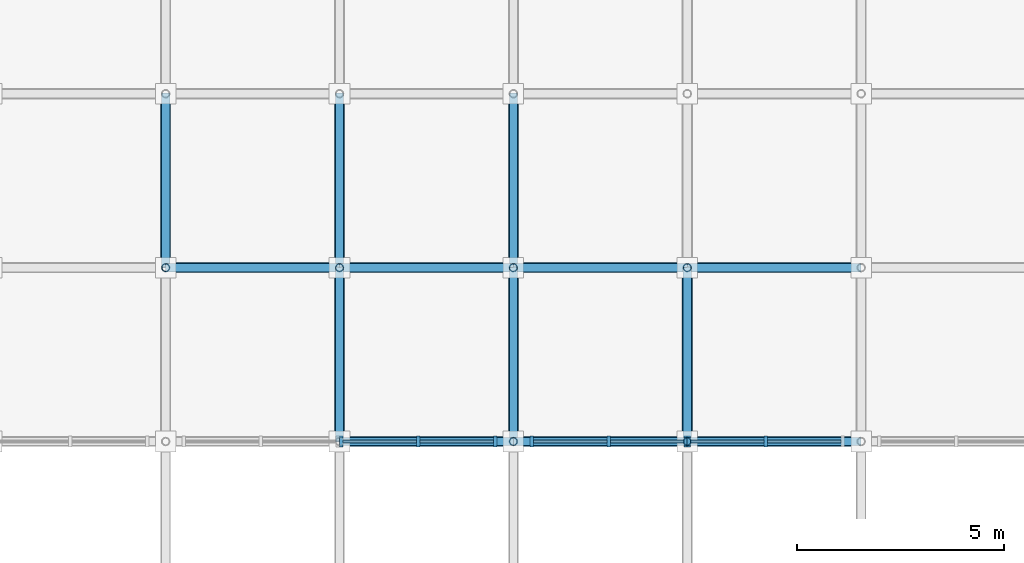
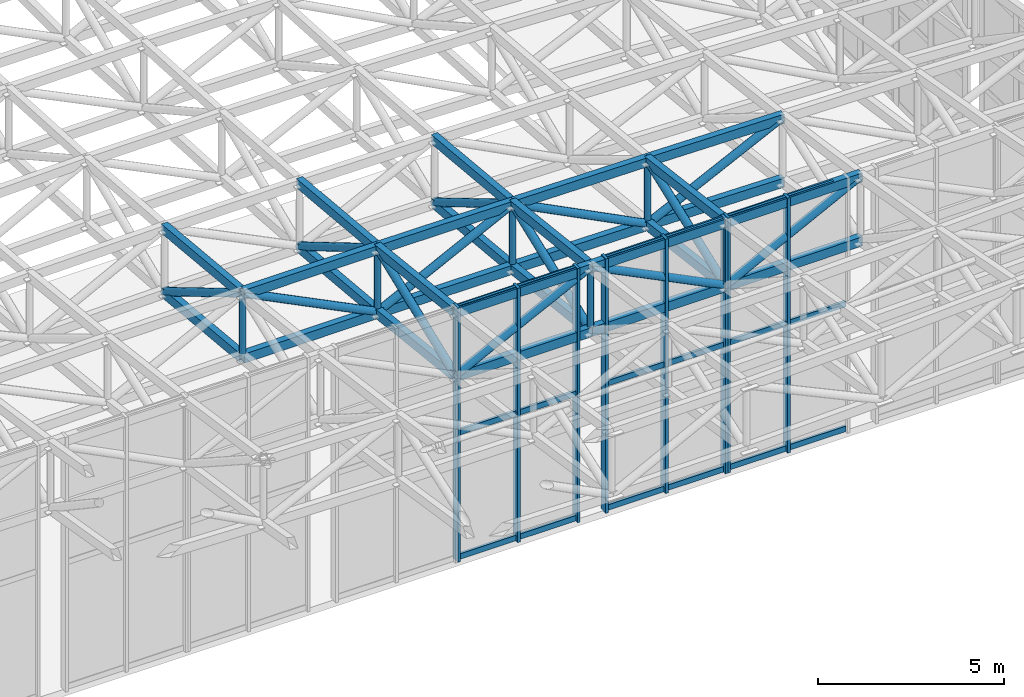
# One storey, part 33 of 123: 71 members, 3 elements without a shape of their own.
"""IFC4 building model written with IfcOpenShell, lengths in metres."""

from ifc_helpers import new_model, si_unit, direction, frame, origin, origin_2d, place, context, subcontext, project, spatial, rectangle, hollow_rectangle, hollow_circle, extrude, material, material_profile, profile_set, type_object, element, aggregate, save


model = new_model("IFC4")

# Units and contexts
model_context = context("Model", 3, precision=1e-05, world=origin(), true_north=direction((0.0, 1.0)))
body_context = subcontext(model_context, "Body", "Model", "MODEL_VIEW")
ifc_project = project(units=[si_unit("LENGTHUNIT", "METRE"), si_unit("AREAUNIT", "SQUARE_METRE"), si_unit("VOLUMEUNIT", "CUBIC_METRE"), si_unit("PLANEANGLEUNIT", "RADIAN"), si_unit("MASSUNIT", "GRAM", prefix="KILO")], contexts=[model_context])

# Site, building, storey
site_placement = place(None, origin())
site = spatial("IfcSite", under=ifc_project, at=site_placement, CompositionType="ELEMENT")
building_placement = place(site_placement, origin())
building = spatial("IfcBuilding", under=site, at=building_placement, Name="Cumbredor Promenade Congress Hotel", CompositionType="ELEMENT")
storey_placement = place(building_placement, frame((0.0, 0.0, 11.760009765625)))
storey = spatial("IfcBuildingStorey", under=building, at=storey_placement, Name="L03", CompositionType="ELEMENT", Elevation=11.760009765625)

# Members
ifc_material_1 = material(Name="Steel ASTM A500 Grade C", Category="steel")
ifc_material_profile_1 = material_profile(ifc_material_1, hollow_rectangle(XDim=0.199951171875, YDim=0.300048828125, WallThickness=0.012451171875, at=origin_2d()), Name="HSS 300x200x12.5")
ifc_profile_set_1 = profile_set([ifc_material_profile_1], Name="Steel ASTM A500 Grade C")
member_type_1 = type_object("IfcMemberType", Name="Ballroom Roof Space Frame Chord", PredefinedType="CHORD", material=ifc_profile_set_1)
for number, where, z_axis, x_axis, name in (
    (1, (163.800048828125, 8.39990234375, 8.167236328125), (0.999999254925, 0.0, 0.001220716407), (0.0, 1.0, 0.0), "Grand Ballroom Pavilion X Top Chord 7.3"),
    (2, (163.800048828125, 8.39990234375, 6.067138671875), (0.999999182277, 0.0, 0.001278845667), (0.0, 1.0, 0.0), "Grand Ballroom Pavilion X Bottom Chord 7.3"),
    (3, (168.0, 8.39990234375, 8.17236328125), (0.999992640561, 0.0, 0.003836511904), (0.0, 1.0, 0.0), "Grand Ballroom Pavilion X Top Chord 8.3"),
    (4, (168.0, 8.39990234375, 6.072509765625), (0.999992640561, 0.0, 0.003836511904), (0.0, 1.0, 0.0), "Grand Ballroom Pavilion X Bottom Chord 8.3"),
    (5, (172.199951171875, 8.39990234375, 8.1884765625), (0.999979184156, 0.0, 0.006452228649), (0.0, 1.0, 0.0), "Grand Ballroom Pavilion X Top Chord 9.3"),
    (6, (172.199951171875, 8.39990234375, 6.088623046875), (0.999979557515, 0.0, 0.00639410285), (0.0, 1.0, 0.0), "Grand Ballroom Pavilion X Bottom Chord 9.3"),
    (7, (159.60009765625, 12.60009765625, 7.69140625), (0.999996425009, 0.0, 0.002673942658), (0.0, 1.0, 0.0), "Grand Ballroom Pavilion X Top Chord 6.4"),
    (8, (159.60009765625, 12.60009765625, 5.59130859375), (0.999996267886, 0.0, 0.002732071417), (0.0, 1.0, 0.0), "Grand Ballroom Pavilion X Bottom Chord 6.4"),
    (9, (163.800048828125, 12.60009765625, 7.70263671875), (0.999996425009, 0.0, -0.002673942658), (0.0, 1.0, 0.0), "Grand Ballroom Pavilion X Top Chord 7.4"),
    (10, (163.800048828125, 12.60009765625, 5.602783203125), (0.999996267886, 0.0, -0.002732071417), (0.0, 1.0, 0.0), "Grand Ballroom Pavilion X Bottom Chord 7.4"),
):
    element("IfcMember", number, at=place(storey_placement, frame(where, z_axis=z_axis, x_axis=x_axis)), inside=storey, type_object=member_type_1, Name=name, PredefinedType="CHORD", context=body_context, shape_type="SweptSolid", body=[
        extrude(hollow_rectangle(XDim=0.199951171875, YDim=0.300048828125, WallThickness=0.012451171875, at=origin_2d()), origin(), (0.0, 0.0, 1.0), 4.199951171875),
    ])
for number, where, z_axis, x_axis, name in (
    (11, (168.0, 12.60009765625, 7.69140625), (0.999968291032, 0.0, -0.007963474735), (0.0, 1.0, 0.0), "Grand Ballroom Pavilion X Top Chord 8.4"),
    (12, (168.0, 12.60009765625, 5.59130859375), (0.999968752226, 0.0, -0.007905350829), (0.0, 1.0, 0.0), "Grand Ballroom Pavilion X Bottom Chord 8.4"),
):
    element("IfcMember", number, at=place(storey_placement, frame(where, z_axis=z_axis, x_axis=x_axis)), inside=storey, type_object=member_type_1, Name=name, PredefinedType="CHORD", context=body_context, shape_type="SweptSolid", body=[
        extrude(hollow_rectangle(XDim=0.199951171875, YDim=0.300048828125, WallThickness=0.012451171875, at=origin_2d()), origin(), (0.0, 0.0, 1.0), 4.2001953125),
    ])
for number, where, z_axis, x_axis, name in (
    (13, (172.199951171875, 12.60009765625, 7.657958984375), (0.999912183907, 0.0, -0.013252338425), (0.0, 1.0, 0.0), "Grand Ballroom Pavilion X Top Chord 9.4"),
    (14, (172.199951171875, 12.60009765625, 5.55810546875), (0.999911412004, 0.0, -0.013310452441), (0.0, 1.0, 0.0), "Grand Ballroom Pavilion X Bottom Chord 9.4"),
):
    element("IfcMember", number, at=place(storey_placement, frame(where, z_axis=z_axis, x_axis=x_axis)), inside=storey, type_object=member_type_1, Name=name, PredefinedType="CHORD", context=body_context, shape_type="SweptSolid", body=[
        extrude(hollow_rectangle(XDim=0.199951171875, YDim=0.300048828125, WallThickness=0.012451171875, at=origin_2d()), origin(), (0.0, 0.0, 1.0), 4.200439453125),
    ])
for number, where, z_axis, x_axis, name in (
    (15, (159.60009765625, 12.60009765625, 7.69140625), (0.0, 0.995475685358, -0.095016629388), (-1.0, 0.0, 0.0), "Grand Ballroom Pavilion Y Top Chord 6.4"),
    (16, (159.60009765625, 12.60009765625, 5.59130859375), (0.0, 0.995481157131, -0.094959284942), (-1.0, 0.0, 0.0), "Grand Ballroom Pavilion Y Bottom Chord 6.4"),
):
    element("IfcMember", number, at=place(storey_placement, frame(where, z_axis=z_axis, x_axis=x_axis)), inside=storey, type_object=member_type_1, Name=name, PredefinedType="CHORD", context=body_context, shape_type="SweptSolid", body=[
        extrude(hollow_rectangle(XDim=0.199951171875, YDim=0.300048828125, WallThickness=0.012451171875, at=origin_2d()), origin(), (0.0, 0.0, 1.0), 4.218994140625),
    ])
for number, where, z_axis, x_axis, name in (
    (17, (163.800048828125, 8.39990234375, 8.167236328125), (0.0, 0.993937865608, -0.109943254955), (-1.0, 0.0, 0.0), "Grand Ballroom Pavilion Y Top Chord 7.3"),
    (18, (163.800048828125, 8.39990234375, 6.067138671875), (0.0, 0.993944177327, -0.109886179102), (-1.0, 0.0, 0.0), "Grand Ballroom Pavilion Y Bottom Chord 7.3"),
):
    element("IfcMember", number, at=place(storey_placement, frame(where, z_axis=z_axis, x_axis=x_axis)), inside=storey, type_object=member_type_1, Name=name, PredefinedType="CHORD", context=body_context, shape_type="SweptSolid", body=[
        extrude(hollow_rectangle(XDim=0.199951171875, YDim=0.300048828125, WallThickness=0.012451171875, at=origin_2d()), origin(), (0.0, 0.0, 1.0), 4.225830078125),
    ])
for number, where, z_axis, x_axis, name in (
    (19, (163.800048828125, 12.60009765625, 7.70263671875), (0.0, 0.995782395469, -0.091746503332), (-1.0, 0.0, 0.0), "Grand Ballroom Pavilion Y Top Chord 7.4"),
    (20, (163.800048828125, 12.60009765625, 5.602783203125), (0.0, 0.995777105566, -0.091803899868), (-1.0, 0.0, 0.0), "Grand Ballroom Pavilion Y Bottom Chord 7.4"),
):
    element("IfcMember", number, at=place(storey_placement, frame(where, z_axis=z_axis, x_axis=x_axis)), inside=storey, type_object=member_type_1, Name=name, PredefinedType="CHORD", context=body_context, shape_type="SweptSolid", body=[
        extrude(hollow_rectangle(XDim=0.199951171875, YDim=0.300048828125, WallThickness=0.012451171875, at=origin_2d()), origin(), (0.0, 0.0, 1.0), 4.2177734375),
    ])
member_1_placement = place(storey_placement, frame((168.0, 8.39990234375, 8.17236328125), z_axis=(0.0, 0.993507706483, -0.1137648327), x_axis=(-1.0, 0.0, 0.0)))
element("IfcMember", 21, at=member_1_placement, inside=storey, type_object=member_type_1, Name="Grand Ballroom Pavilion Y Top Chord 8.3", PredefinedType="CHORD", context=body_context, shape_type="SweptSolid", body=[
    extrude(hollow_rectangle(XDim=0.199951171875, YDim=0.300048828125, WallThickness=0.012451171875, at=origin_2d()), origin(), (0.0, 0.0, 1.0), 4.2275390625),
])
member_2_placement = place(storey_placement, frame((168.0, 8.39990234375, 6.072509765625), z_axis=(0.0, 0.993501177778, -0.113821833376), x_axis=(-1.0, 0.0, 0.0)))
element("IfcMember", 22, at=member_2_placement, inside=storey, type_object=member_type_1, Name="Grand Ballroom Pavilion Y Bottom Chord 8.3", PredefinedType="CHORD", context=body_context, shape_type="SweptSolid", body=[
    extrude(hollow_rectangle(XDim=0.199951171875, YDim=0.300048828125, WallThickness=0.012451171875, at=origin_2d()), origin(), (0.0, 0.0, 1.0), 4.227783203125),
])
for number, where, z_axis, x_axis, name in (
    (23, (168.0, 12.60009765625, 7.69140625), (0.0, 0.995475685358, -0.095016629388), (-1.0, 0.0, 0.0), "Grand Ballroom Pavilion Y Top Chord 8.4"),
    (24, (168.0, 12.60009765625, 5.59130859375), (0.0, 0.995481157131, -0.094959284942), (-1.0, 0.0, 0.0), "Grand Ballroom Pavilion Y Bottom Chord 8.4"),
):
    element("IfcMember", number, at=place(storey_placement, frame(where, z_axis=z_axis, x_axis=x_axis)), inside=storey, type_object=member_type_1, Name=name, PredefinedType="CHORD", context=body_context, shape_type="SweptSolid", body=[
        extrude(hollow_rectangle(XDim=0.199951171875, YDim=0.300048828125, WallThickness=0.012451171875, at=origin_2d()), origin(), (0.0, 0.0, 1.0), 4.218994140625),
    ])
for number, where, z_axis, x_axis, name in (
    (25, (172.199951171875, 8.39990234375, 8.1884765625), (0.0, 0.992117358746, -0.125312196033), (-1.0, 0.0, 0.0), "Grand Ballroom Pavilion Y Top Chord 9.3"),
    (26, (172.199951171875, 8.39990234375, 6.088623046875), (0.0, 0.992117358746, -0.125312196033), (-1.0, 0.0, 0.0), "Grand Ballroom Pavilion Y Bottom Chord 9.3"),
):
    element("IfcMember", number, at=place(storey_placement, frame(where, z_axis=z_axis, x_axis=x_axis)), inside=storey, type_object=member_type_1, Name=name, PredefinedType="CHORD", context=body_context, shape_type="SweptSolid", body=[
        extrude(hollow_rectangle(XDim=0.199951171875, YDim=0.300048828125, WallThickness=0.012451171875, at=origin_2d()), origin(), (0.0, 0.0, 1.0), 4.233642578125),
    ])

# Curtain wall, members
ifc_material_2 = material(Name="Thermally broken anodized aluminium and low-E glass", Category="aluminium")
curtain_wall_type = type_object("IfcCurtainWallType", Name="Stepped Pavilion Clerestory Curtain Wall CW-06", PredefinedType="NOTDEFINED", material=ifc_material_2)
curtain_wall_1_placement = place(storey_placement, origin())
curtain_wall_1 = element("IfcCurtainWall", 27, at=curtain_wall_1_placement, inside=storey, type_object=curtain_wall_type, Name="Grand Ballroom Pavilion S Glazed Clerestory 6", PredefinedType="NOTDEFINED")
ifc_material_3 = material(Name="Thermally broken anodized aluminium", Category="aluminium")
ifc_material_profile_2 = material_profile(ifc_material_3, rectangle(XDim=0.0849609375, YDim=0.260009765625, at=origin_2d()), Name="ALU MULLION CLERESTORY 85x260")
ifc_profile_set_2 = profile_set([ifc_material_profile_2], Name="Thermally broken anodized aluminium")
member_type_2 = type_object("IfcMemberType", Name="Curtain Wall Mullion ML-04", PredefinedType="MULLION", material=ifc_profile_set_2)
member_3_placement = place(storey_placement, frame((163.840087890625, 8.39990234375, -0.01806640625), z_axis=(0.0, 0.0, 1.0), x_axis=(1.0, 0.0, 0.0)))
member_3 = element("IfcMember", 28, at=member_3_placement, type_object=member_type_2, Name="Grand Ballroom Pavilion S Glazed Clerestory 6 Mullion 1", PredefinedType="MULLION", context=body_context, shape_type="SweptSolid", body=[
    extrude(rectangle(XDim=0.0849609375, YDim=0.260009765625, at=origin_2d()), origin(), (0.0, 0.0, 1.0), 8.361328125),
])
member_4_placement = place(storey_placement, frame((165.699951171875, 8.39990234375, -0.01806640625), z_axis=(0.0, 0.0, 1.0), x_axis=(1.0, 0.0, 0.0)))
member_4 = element("IfcMember", 29, at=member_4_placement, type_object=member_type_2, Name="Grand Ballroom Pavilion S Glazed Clerestory 6 Mullion 2", PredefinedType="MULLION", context=body_context, shape_type="SweptSolid", body=[
    extrude(rectangle(XDim=0.0849609375, YDim=0.260009765625, at=origin_2d()), origin(), (0.0, 0.0, 1.0), 8.361328125),
])
member_5_placement = place(storey_placement, frame((167.56005859375, 8.39990234375, -0.01806640625), z_axis=(0.0, 0.0, 1.0), x_axis=(1.0, 0.0, 0.0)))
member_5 = element("IfcMember", 30, at=member_5_placement, type_object=member_type_2, Name="Grand Ballroom Pavilion S Glazed Clerestory 6 Mullion 3", PredefinedType="MULLION", context=body_context, shape_type="SweptSolid", body=[
    extrude(rectangle(XDim=0.0849609375, YDim=0.260009765625, at=origin_2d()), origin(), (0.0, 0.0, 1.0), 8.361328125),
])

curtain_wall_2_placement = place(storey_placement, origin())
curtain_wall_2 = element("IfcCurtainWall", 31, at=curtain_wall_2_placement, inside=storey, type_object=curtain_wall_type, Name="Grand Ballroom Pavilion S Glazed Clerestory 7", PredefinedType="NOTDEFINED")
member_6_placement = place(storey_placement, frame((168.43994140625, 8.39990234375, -0.01806640625), z_axis=(0.0, 0.0, 1.0), x_axis=(1.0, 0.0, 0.0)))
member_6 = element("IfcMember", 32, at=member_6_placement, type_object=member_type_2, Name="Grand Ballroom Pavilion S Glazed Clerestory 7 Mullion 1", PredefinedType="MULLION", context=body_context, shape_type="SweptSolid", body=[
    extrude(rectangle(XDim=0.0849609375, YDim=0.260009765625, at=origin_2d()), origin(), (0.0, 0.0, 1.0), 8.366455078125),
])
member_7_placement = place(storey_placement, frame((170.300048828125, 8.39990234375, -0.01806640625), z_axis=(0.0, 0.0, 1.0), x_axis=(1.0, 0.0, 0.0)))
member_7 = element("IfcMember", 33, at=member_7_placement, type_object=member_type_2, Name="Grand Ballroom Pavilion S Glazed Clerestory 7 Mullion 2", PredefinedType="MULLION", context=body_context, shape_type="SweptSolid", body=[
    extrude(rectangle(XDim=0.0849609375, YDim=0.260009765625, at=origin_2d()), origin(), (0.0, 0.0, 1.0), 8.366455078125),
])
member_8_placement = place(storey_placement, frame((172.159912109375, 8.39990234375, -0.01806640625), z_axis=(0.0, 0.0, 1.0), x_axis=(1.0, 0.0, 0.0)))
member_8 = element("IfcMember", 34, at=member_8_placement, type_object=member_type_2, Name="Grand Ballroom Pavilion S Glazed Clerestory 7 Mullion 3", PredefinedType="MULLION", context=body_context, shape_type="SweptSolid", body=[
    extrude(rectangle(XDim=0.0849609375, YDim=0.260009765625, at=origin_2d()), origin(), (0.0, 0.0, 1.0), 8.366455078125),
])

curtain_wall_3_placement = place(storey_placement, origin())
curtain_wall_3 = element("IfcCurtainWall", 35, at=curtain_wall_3_placement, inside=storey, type_object=curtain_wall_type, Name="Grand Ballroom Pavilion S Glazed Clerestory 8", PredefinedType="NOTDEFINED")
member_9_placement = place(storey_placement, frame((172.239990234375, 8.39990234375, -0.01806640625), z_axis=(0.0, 0.0, 1.0), x_axis=(1.0, 0.0, 0.0)))
member_9 = element("IfcMember", 36, at=member_9_placement, type_object=member_type_2, Name="Grand Ballroom Pavilion S Glazed Clerestory 8 Mullion 1", PredefinedType="MULLION", context=body_context, shape_type="SweptSolid", body=[
    extrude(rectangle(XDim=0.0849609375, YDim=0.260009765625, at=origin_2d()), origin(), (0.0, 0.0, 1.0), 8.382568359375),
])
member_10_placement = place(storey_placement, frame((174.10009765625, 8.39990234375, -0.01806640625), z_axis=(0.0, 0.0, 1.0), x_axis=(1.0, 0.0, 0.0)))
member_10 = element("IfcMember", 37, at=member_10_placement, type_object=member_type_2, Name="Grand Ballroom Pavilion S Glazed Clerestory 8 Mullion 2", PredefinedType="MULLION", context=body_context, shape_type="SweptSolid", body=[
    extrude(rectangle(XDim=0.0849609375, YDim=0.260009765625, at=origin_2d()), origin(), (0.0, 0.0, 1.0), 8.382568359375),
])

# Member
ifc_material_profile_3 = material_profile(ifc_material_3, rectangle(XDim=0.080078125, YDim=0.179931640625, at=origin_2d()), Name="ALU TRANSOM 80x180")
ifc_profile_set_3 = profile_set([ifc_material_profile_3], Name="Thermally broken anodized aluminium")
member_type_3 = type_object("IfcMemberType", Name="Curtain Wall Transom TR-03", PredefinedType="USERDEFINED", material=ifc_profile_set_3)
member_11_placement = place(storey_placement, frame((163.882568359375, 8.39990234375, 0.080078125), z_axis=(1.0, 0.0, 0.0), x_axis=(0.0, 1.0, 0.0)))
member_11 = element("IfcMember", 38, at=member_11_placement, type_object=member_type_3, Name="Grand Ballroom Pavilion S Glazed Clerestory 6 Transom 1.1", ObjectType="TRANSOM", PredefinedType="USERDEFINED", context=body_context, shape_type="SweptSolid", body=[
    extrude(rectangle(XDim=0.080078125, YDim=0.179931640625, at=origin_2d()), origin(), (0.0, 0.0, 1.0), 1.77490234375),
])

member_12_placement = place(storey_placement, frame((163.882568359375, 8.39990234375, 4.169921875), z_axis=(1.0, 0.0, 0.0), x_axis=(0.0, 1.0, 0.0)))
member_12 = element("IfcMember", 39, at=member_12_placement, type_object=member_type_3, Name="Grand Ballroom Pavilion S Glazed Clerestory 6 Transom 1.2", ObjectType="TRANSOM", PredefinedType="USERDEFINED", context=body_context, shape_type="SweptSolid", body=[
    extrude(rectangle(XDim=0.080078125, YDim=0.179931640625, at=origin_2d()), origin(), (0.0, 0.0, 1.0), 1.77490234375),
])

member_13_placement = place(storey_placement, frame((163.882568359375, 8.39990234375, 8.25), z_axis=(1.0, 0.0, 0.0), x_axis=(0.0, 1.0, 0.0)))
member_13 = element("IfcMember", 40, at=member_13_placement, type_object=member_type_3, Name="Grand Ballroom Pavilion S Glazed Clerestory 6 Transom 1.3", ObjectType="TRANSOM", PredefinedType="USERDEFINED", context=body_context, shape_type="SweptSolid", body=[
    extrude(rectangle(XDim=0.080078125, YDim=0.179931640625, at=origin_2d()), origin(), (0.0, 0.0, 1.0), 1.77490234375),
])

member_14_placement = place(storey_placement, frame((165.742431640625, 8.39990234375, 0.080078125), z_axis=(1.0, 0.0, 0.0), x_axis=(0.0, 1.0, 0.0)))
member_14 = element("IfcMember", 41, at=member_14_placement, type_object=member_type_3, Name="Grand Ballroom Pavilion S Glazed Clerestory 6 Transom 2.1", ObjectType="TRANSOM", PredefinedType="USERDEFINED", context=body_context, shape_type="SweptSolid", body=[
    extrude(rectangle(XDim=0.080078125, YDim=0.179931640625, at=origin_2d()), origin(), (0.0, 0.0, 1.0), 1.775146484375),
])

member_15_placement = place(storey_placement, frame((165.742431640625, 8.39990234375, 4.169921875), z_axis=(1.0, 0.0, 0.0), x_axis=(0.0, 1.0, 0.0)))
member_15 = element("IfcMember", 42, at=member_15_placement, type_object=member_type_3, Name="Grand Ballroom Pavilion S Glazed Clerestory 6 Transom 2.2", ObjectType="TRANSOM", PredefinedType="USERDEFINED", context=body_context, shape_type="SweptSolid", body=[
    extrude(rectangle(XDim=0.080078125, YDim=0.179931640625, at=origin_2d()), origin(), (0.0, 0.0, 1.0), 1.775146484375),
])

member_16_placement = place(storey_placement, frame((165.742431640625, 8.39990234375, 8.25), z_axis=(1.0, 0.0, 0.0), x_axis=(0.0, 1.0, 0.0)))
member_16 = element("IfcMember", 43, at=member_16_placement, type_object=member_type_3, Name="Grand Ballroom Pavilion S Glazed Clerestory 6 Transom 2.3", ObjectType="TRANSOM", PredefinedType="USERDEFINED", context=body_context, shape_type="SweptSolid", body=[
    extrude(rectangle(XDim=0.080078125, YDim=0.179931640625, at=origin_2d()), origin(), (0.0, 0.0, 1.0), 1.775146484375),
])

aggregate(curtain_wall_1, [member_3, member_4, member_5, member_11, member_12, member_13, member_14, member_15, member_16])

member_17_placement = place(storey_placement, frame((168.482421875, 8.39990234375, 0.080078125), z_axis=(1.0, 0.0, 0.0), x_axis=(0.0, 1.0, 0.0)))
member_17 = element("IfcMember", 44, at=member_17_placement, type_object=member_type_3, Name="Grand Ballroom Pavilion S Glazed Clerestory 7 Transom 1.1", ObjectType="TRANSOM", PredefinedType="USERDEFINED", context=body_context, shape_type="SweptSolid", body=[
    extrude(rectangle(XDim=0.080078125, YDim=0.179931640625, at=origin_2d()), origin(), (0.0, 0.0, 1.0), 1.775146484375),
])

member_18_placement = place(storey_placement, frame((168.482421875, 8.39990234375, 4.169921875), z_axis=(1.0, 0.0, 0.0), x_axis=(0.0, 1.0, 0.0)))
member_18 = element("IfcMember", 45, at=member_18_placement, type_object=member_type_3, Name="Grand Ballroom Pavilion S Glazed Clerestory 7 Transom 1.2", ObjectType="TRANSOM", PredefinedType="USERDEFINED", context=body_context, shape_type="SweptSolid", body=[
    extrude(rectangle(XDim=0.080078125, YDim=0.179931640625, at=origin_2d()), origin(), (0.0, 0.0, 1.0), 1.775146484375),
])

member_19_placement = place(storey_placement, frame((168.482421875, 8.39990234375, 8.25), z_axis=(1.0, 0.0, 0.0), x_axis=(0.0, 1.0, 0.0)))
member_19 = element("IfcMember", 46, at=member_19_placement, type_object=member_type_3, Name="Grand Ballroom Pavilion S Glazed Clerestory 7 Transom 1.3", ObjectType="TRANSOM", PredefinedType="USERDEFINED", context=body_context, shape_type="SweptSolid", body=[
    extrude(rectangle(XDim=0.080078125, YDim=0.179931640625, at=origin_2d()), origin(), (0.0, 0.0, 1.0), 1.775146484375),
])

member_20_placement = place(storey_placement, frame((170.342529296875, 8.39990234375, 0.080078125), z_axis=(1.0, 0.0, 0.0), x_axis=(0.0, 1.0, 0.0)))
member_20 = element("IfcMember", 47, at=member_20_placement, type_object=member_type_3, Name="Grand Ballroom Pavilion S Glazed Clerestory 7 Transom 2.1", ObjectType="TRANSOM", PredefinedType="USERDEFINED", context=body_context, shape_type="SweptSolid", body=[
    extrude(rectangle(XDim=0.080078125, YDim=0.179931640625, at=origin_2d()), origin(), (0.0, 0.0, 1.0), 1.77490234375),
])

member_21_placement = place(storey_placement, frame((170.342529296875, 8.39990234375, 4.169921875), z_axis=(1.0, 0.0, 0.0), x_axis=(0.0, 1.0, 0.0)))
member_21 = element("IfcMember", 48, at=member_21_placement, type_object=member_type_3, Name="Grand Ballroom Pavilion S Glazed Clerestory 7 Transom 2.2", ObjectType="TRANSOM", PredefinedType="USERDEFINED", context=body_context, shape_type="SweptSolid", body=[
    extrude(rectangle(XDim=0.080078125, YDim=0.179931640625, at=origin_2d()), origin(), (0.0, 0.0, 1.0), 1.77490234375),
])

member_22_placement = place(storey_placement, frame((170.342529296875, 8.39990234375, 8.25), z_axis=(1.0, 0.0, 0.0), x_axis=(0.0, 1.0, 0.0)))
member_22 = element("IfcMember", 49, at=member_22_placement, type_object=member_type_3, Name="Grand Ballroom Pavilion S Glazed Clerestory 7 Transom 2.3", ObjectType="TRANSOM", PredefinedType="USERDEFINED", context=body_context, shape_type="SweptSolid", body=[
    extrude(rectangle(XDim=0.080078125, YDim=0.179931640625, at=origin_2d()), origin(), (0.0, 0.0, 1.0), 1.77490234375),
])

aggregate(curtain_wall_2, [member_6, member_7, member_8, member_17, member_18, member_19, member_20, member_21, member_22])

member_23_placement = place(storey_placement, frame((172.282470703125, 8.39990234375, 0.080078125), z_axis=(1.0, 0.0, 0.0), x_axis=(0.0, 1.0, 0.0)))
member_23 = element("IfcMember", 50, at=member_23_placement, type_object=member_type_3, Name="Grand Ballroom Pavilion S Glazed Clerestory 8 Transom 1.1", ObjectType="TRANSOM", PredefinedType="USERDEFINED", context=body_context, shape_type="SweptSolid", body=[
    extrude(rectangle(XDim=0.080078125, YDim=0.179931640625, at=origin_2d()), origin(), (0.0, 0.0, 1.0), 1.775146484375),
])

member_24_placement = place(storey_placement, frame((172.282470703125, 8.39990234375, 4.179931640625), z_axis=(1.0, 0.0, 0.0), x_axis=(0.0, 1.0, 0.0)))
member_24 = element("IfcMember", 51, at=member_24_placement, type_object=member_type_3, Name="Grand Ballroom Pavilion S Glazed Clerestory 8 Transom 1.2", ObjectType="TRANSOM", PredefinedType="USERDEFINED", context=body_context, shape_type="SweptSolid", body=[
    extrude(rectangle(XDim=0.080078125, YDim=0.179931640625, at=origin_2d()), origin(), (0.0, 0.0, 1.0), 1.775146484375),
])

member_25_placement = place(storey_placement, frame((172.282470703125, 8.39990234375, 8.27001953125), z_axis=(1.0, 0.0, 0.0), x_axis=(0.0, 1.0, 0.0)))
member_25 = element("IfcMember", 52, at=member_25_placement, type_object=member_type_3, Name="Grand Ballroom Pavilion S Glazed Clerestory 8 Transom 1.3", ObjectType="TRANSOM", PredefinedType="USERDEFINED", context=body_context, shape_type="SweptSolid", body=[
    extrude(rectangle(XDim=0.080078125, YDim=0.179931640625, at=origin_2d()), origin(), (0.0, 0.0, 1.0), 1.775146484375),
])

member_26_placement = place(storey_placement, frame((174.142578125, 8.39990234375, 0.080078125), z_axis=(1.0, 0.0, 0.0), x_axis=(0.0, 1.0, 0.0)))
member_26 = element("IfcMember", 53, at=member_26_placement, type_object=member_type_3, Name="Grand Ballroom Pavilion S Glazed Clerestory 8 Transom 2.1", ObjectType="TRANSOM", PredefinedType="USERDEFINED", context=body_context, shape_type="SweptSolid", body=[
    extrude(rectangle(XDim=0.080078125, YDim=0.179931640625, at=origin_2d()), origin(), (0.0, 0.0, 1.0), 1.77490234375),
])

member_27_placement = place(storey_placement, frame((174.142578125, 8.39990234375, 4.179931640625), z_axis=(1.0, 0.0, 0.0), x_axis=(0.0, 1.0, 0.0)))
member_27 = element("IfcMember", 54, at=member_27_placement, type_object=member_type_3, Name="Grand Ballroom Pavilion S Glazed Clerestory 8 Transom 2.2", ObjectType="TRANSOM", PredefinedType="USERDEFINED", context=body_context, shape_type="SweptSolid", body=[
    extrude(rectangle(XDim=0.080078125, YDim=0.179931640625, at=origin_2d()), origin(), (0.0, 0.0, 1.0), 1.77490234375),
])

member_28_placement = place(storey_placement, frame((174.142578125, 8.39990234375, 8.27001953125), z_axis=(1.0, 0.0, 0.0), x_axis=(0.0, 1.0, 0.0)))
member_28 = element("IfcMember", 55, at=member_28_placement, type_object=member_type_3, Name="Grand Ballroom Pavilion S Glazed Clerestory 8 Transom 2.3", ObjectType="TRANSOM", PredefinedType="USERDEFINED", context=body_context, shape_type="SweptSolid", body=[
    extrude(rectangle(XDim=0.080078125, YDim=0.179931640625, at=origin_2d()), origin(), (0.0, 0.0, 1.0), 1.77490234375),
])

aggregate(curtain_wall_3, [member_9, member_10, member_23, member_24, member_25, member_26, member_27, member_28])

# Members
ifc_material_profile_4 = material_profile(ifc_material_1, hollow_circle(Radius=0.122314453125, WallThickness=0.012451171875, at=origin_2d()), Name="CHS 244.5x12.5")
ifc_profile_set_4 = profile_set([ifc_material_profile_4], Name="Steel ASTM A500 Grade C")
member_type_4 = type_object("IfcMemberType", Name="Space Frame Web Diagonal D2", PredefinedType="BRACE", material=ifc_profile_set_4)
member_29_placement = place(storey_placement, frame((163.800048828125, 8.39990234375, 6.067138671875), z_axis=(0.893979832423, 0.0, 0.448107196128), x_axis=(0.0, 1.0, 0.0)))
element("IfcMember", 56, at=member_29_placement, inside=storey, type_object=member_type_4, Name="Grand Ballroom Pavilion X Web Diagonal 7.3", PredefinedType="BRACE", context=body_context, shape_type="SweptSolid", body=[
    extrude(hollow_circle(Radius=0.122314453125, WallThickness=0.012451171875, at=origin_2d()), origin(), (0.0, 0.0, 1.0), 4.697998046875),
])
member_30_placement = place(storey_placement, frame((168.0, 8.39990234375, 8.17236328125), z_axis=(0.895808036818, 0.0, -0.444441178529), x_axis=(0.0, 1.0, 0.0)))
element("IfcMember", 57, at=member_30_placement, inside=storey, type_object=member_type_4, Name="Grand Ballroom Pavilion X Web Diagonal 8.3", PredefinedType="BRACE", context=body_context, shape_type="SweptSolid", body=[
    extrude(hollow_circle(Radius=0.122314453125, WallThickness=0.012451171875, at=origin_2d()), origin(), (0.0, 0.0, 1.0), 4.6884765625),
])
member_31_placement = place(storey_placement, frame((172.199951171875, 8.39990234375, 6.088623046875), z_axis=(0.892123293135, 0.0, 0.451792020566), x_axis=(0.0, 1.0, 0.0)))
element("IfcMember", 58, at=member_31_placement, inside=storey, type_object=member_type_4, Name="Grand Ballroom Pavilion X Web Diagonal 9.3", PredefinedType="BRACE", context=body_context, shape_type="SweptSolid", body=[
    extrude(hollow_circle(Radius=0.122314453125, WallThickness=0.012451171875, at=origin_2d()), origin(), (0.0, 0.0, 1.0), 4.707763671875),
])
for number, where, z_axis, x_axis, name in (
    (59, (159.60009765625, 12.60009765625, 7.69140625), (0.89539320048, 0.0, -0.445276337273), (0.0, 1.0, 0.0), "Grand Ballroom Pavilion X Web Diagonal 6.4"),
    (60, (163.800048828125, 12.60009765625, 5.602783203125), (0.89539320048, 0.0, 0.445276337273), (0.0, 1.0, 0.0), "Grand Ballroom Pavilion X Web Diagonal 7.4"),
):
    element("IfcMember", number, at=place(storey_placement, frame(where, z_axis=z_axis, x_axis=x_axis)), inside=storey, type_object=member_type_4, Name=name, PredefinedType="BRACE", context=body_context, shape_type="SweptSolid", body=[
        extrude(hollow_circle(Radius=0.122314453125, WallThickness=0.012451171875, at=origin_2d()), origin(), (0.0, 0.0, 1.0), 4.690673828125),
    ])
member_32_placement = place(storey_placement, frame((168.0, 12.60009765625, 7.69140625), z_axis=(0.891579532407, 0.0, -0.452864148938), x_axis=(0.0, 1.0, 0.0)))
element("IfcMember", 61, at=member_32_placement, inside=storey, type_object=member_type_4, Name="Grand Ballroom Pavilion X Web Diagonal 8.4", PredefinedType="BRACE", context=body_context, shape_type="SweptSolid", body=[
    extrude(hollow_circle(Radius=0.122314453125, WallThickness=0.012451171875, at=origin_2d()), origin(), (0.0, 0.0, 1.0), 4.710693359375),
])
member_33_placement = place(storey_placement, frame((172.199951171875, 12.60009765625, 5.55810546875), z_axis=(0.899153384276, 0.0, 0.437633627073), x_axis=(0.0, 1.0, 0.0)))
element("IfcMember", 62, at=member_33_placement, inside=storey, type_object=member_type_4, Name="Grand Ballroom Pavilion X Web Diagonal 9.4", PredefinedType="BRACE", context=body_context, shape_type="SweptSolid", body=[
    extrude(hollow_circle(Radius=0.122314453125, WallThickness=0.012451171875, at=origin_2d()), origin(), (0.0, 0.0, 1.0), 4.6708984375),
])
member_34_placement = place(storey_placement, frame((159.60009765625, 12.60009765625, 7.69140625), z_axis=(0.0, 0.859224407145, -0.511598884054), x_axis=(-1.0, 0.0, 0.0)))
element("IfcMember", 63, at=member_34_placement, inside=storey, type_object=member_type_4, Name="Grand Ballroom Pavilion Y Web Diagonal 6.4", PredefinedType="BRACE", context=body_context, shape_type="SweptSolid", body=[
    extrude(hollow_circle(Radius=0.122314453125, WallThickness=0.012451171875, at=origin_2d()), origin(), (0.0, 0.0, 1.0), 4.88818359375),
])
member_35_placement = place(storey_placement, frame((163.800048828125, 8.39990234375, 6.067138671875), z_axis=(0.0, 0.93184804452, 0.362848759023), x_axis=(-1.0, 0.0, 0.0)))
element("IfcMember", 64, at=member_35_placement, inside=storey, type_object=member_type_4, Name="Grand Ballroom Pavilion Y Web Diagonal 7.3", PredefinedType="BRACE", context=body_context, shape_type="SweptSolid", body=[
    extrude(hollow_circle(Radius=0.122314453125, WallThickness=0.012451171875, at=origin_2d()), origin(), (0.0, 0.0, 1.0), 4.50732421875),
])
member_36_placement = place(storey_placement, frame((163.800048828125, 12.60009765625, 7.70263671875), z_axis=(0.0, 0.860453171702, -0.509529527415), x_axis=(-1.0, 0.0, 0.0)))
element("IfcMember", 65, at=member_36_placement, inside=storey, type_object=member_type_4, Name="Grand Ballroom Pavilion Y Web Diagonal 7.4", PredefinedType="BRACE", context=body_context, shape_type="SweptSolid", body=[
    extrude(hollow_circle(Radius=0.122314453125, WallThickness=0.012451171875, at=origin_2d()), origin(), (0.0, 0.0, 1.0), 4.881103515625),
])
member_37_placement = place(storey_placement, frame((168.0, 8.39990234375, 6.072509765625), z_axis=(0.0, 0.933089561736, 0.359644087647), x_axis=(-1.0, 0.0, 0.0)))
element("IfcMember", 66, at=member_37_placement, inside=storey, type_object=member_type_4, Name="Grand Ballroom Pavilion Y Web Diagonal 8.3", PredefinedType="BRACE", context=body_context, shape_type="SweptSolid", body=[
    extrude(hollow_circle(Radius=0.122314453125, WallThickness=0.012451171875, at=origin_2d()), origin(), (0.0, 0.0, 1.0), 4.50146484375),
])
member_38_placement = place(storey_placement, frame((168.0, 12.60009765625, 7.69140625), z_axis=(0.0, 0.859224407145, -0.511598884054), x_axis=(-1.0, 0.0, 0.0)))
element("IfcMember", 67, at=member_38_placement, inside=storey, type_object=member_type_4, Name="Grand Ballroom Pavilion Y Web Diagonal 8.4", PredefinedType="BRACE", context=body_context, shape_type="SweptSolid", body=[
    extrude(hollow_circle(Radius=0.122314453125, WallThickness=0.012451171875, at=origin_2d()), origin(), (0.0, 0.0, 1.0), 4.88818359375),
])
member_39_placement = place(storey_placement, frame((172.199951171875, 8.39990234375, 6.088623046875), z_axis=(0.0, 0.936749183876, 0.350001380723), x_axis=(-1.0, 0.0, 0.0)))
element("IfcMember", 68, at=member_39_placement, inside=storey, type_object=member_type_4, Name="Grand Ballroom Pavilion Y Web Diagonal 9.3", PredefinedType="BRACE", context=body_context, shape_type="SweptSolid", body=[
    extrude(hollow_circle(Radius=0.122314453125, WallThickness=0.012451171875, at=origin_2d()), origin(), (0.0, 0.0, 1.0), 4.48388671875),
])
ifc_material_profile_5 = material_profile(ifc_material_1, hollow_circle(Radius=0.096923828125, WallThickness=0.010009765625, at=origin_2d()), Name="CHS 193.7x10")
ifc_profile_set_5 = profile_set([ifc_material_profile_5], Name="Steel ASTM A500 Grade C")
member_type_5 = type_object("IfcMemberType", Name="Space Frame Web Post P1", PredefinedType="BRACE", material=ifc_profile_set_5)
member_40_placement = place(storey_placement, frame((159.60009765625, 12.60009765625, 5.59130859375), z_axis=(0.0, 0.0, 1.0), x_axis=(1.0, 0.0, 0.0)))
element("IfcMember", 69, at=member_40_placement, inside=storey, type_object=member_type_5, Name="Grand Ballroom Pavilion Space Frame Web Post 6.4", PredefinedType="BRACE", context=body_context, shape_type="SweptSolid", body=[
    extrude(hollow_circle(Radius=0.096923828125, WallThickness=0.010009765625, at=origin_2d()), origin(), (0.0, 0.0, 1.0), 2.10009765625),
])
for number, where, z_axis, x_axis, name in (
    (70, (163.800048828125, 12.60009765625, 5.602783203125), (0.0, 0.0, 1.0), (1.0, 0.0, 0.0), "Grand Ballroom Pavilion Space Frame Web Post 7.4"),
    (71, (168.0, 8.39990234375, 6.072509765625), (0.0, 0.0, 1.0), (1.0, 0.0, 0.0), "Grand Ballroom Pavilion Space Frame Web Post 8.3"),
):
    element("IfcMember", number, at=place(storey_placement, frame(where, z_axis=z_axis, x_axis=x_axis)), inside=storey, type_object=member_type_5, Name=name, PredefinedType="BRACE", context=body_context, shape_type="SweptSolid", body=[
        extrude(hollow_circle(Radius=0.096923828125, WallThickness=0.010009765625, at=origin_2d()), origin(), (0.0, 0.0, 1.0), 2.099853515625),
    ])
member_41_placement = place(storey_placement, frame((168.0, 12.60009765625, 5.59130859375), z_axis=(0.0, 0.0, 1.0), x_axis=(1.0, 0.0, 0.0)))
element("IfcMember", 72, at=member_41_placement, inside=storey, type_object=member_type_5, Name="Grand Ballroom Pavilion Space Frame Web Post 8.4", PredefinedType="BRACE", context=body_context, shape_type="SweptSolid", body=[
    extrude(hollow_circle(Radius=0.096923828125, WallThickness=0.010009765625, at=origin_2d()), origin(), (0.0, 0.0, 1.0), 2.10009765625),
])
for number, where, z_axis, x_axis, name in (
    (73, (172.199951171875, 8.39990234375, 6.088623046875), (0.0, 0.0, 1.0), (1.0, 0.0, 0.0), "Grand Ballroom Pavilion Space Frame Web Post 9.3"),
    (74, (172.199951171875, 12.60009765625, 5.55810546875), (0.0, 0.0, 1.0), (1.0, 0.0, 0.0), "Grand Ballroom Pavilion Space Frame Web Post 9.4"),
):
    element("IfcMember", number, at=place(storey_placement, frame(where, z_axis=z_axis, x_axis=x_axis)), inside=storey, type_object=member_type_5, Name=name, PredefinedType="BRACE", context=body_context, shape_type="SweptSolid", body=[
        extrude(hollow_circle(Radius=0.096923828125, WallThickness=0.010009765625, at=origin_2d()), origin(), (0.0, 0.0, 1.0), 2.099853515625),
    ])

save(model, "model.ifc")
